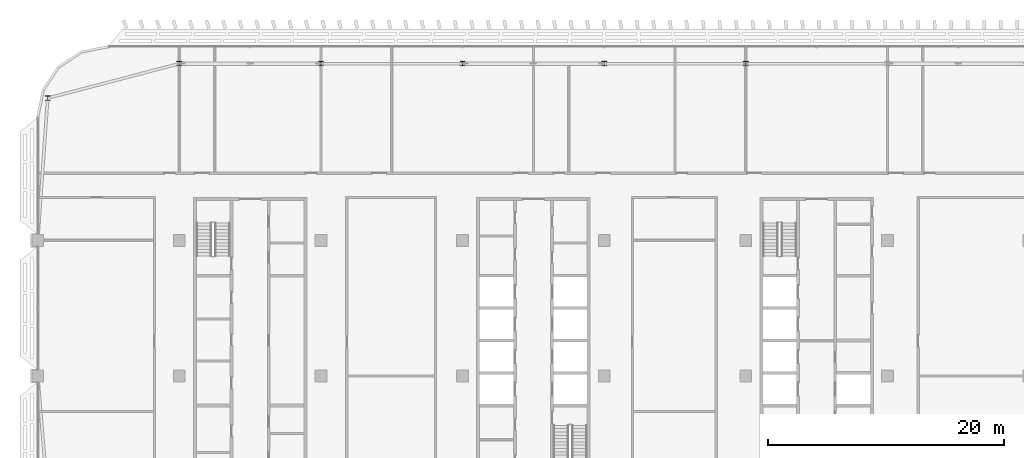
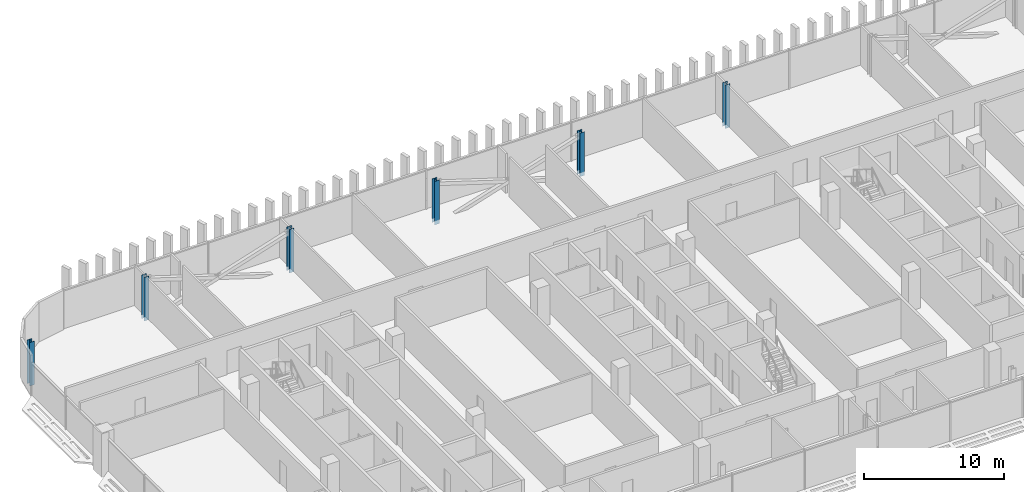
# One storey, part 3 of 32: 6 columns.
"""IFC4 building model written with IfcOpenShell, lengths in metres."""

from ifc_helpers import new_model, si_unit, direction, frame, origin, origin_2d, place, context, subcontext, project, spatial, i_section, extrude, material, material_profile, profile_set, type_object, element, save


model = new_model("IFC4")

# Units and contexts
model_context = context("Model", 3, precision=1e-05, world=origin(), true_north=direction((0.0, 1.0)))
body_context = subcontext(model_context, "Body", "Model", "MODEL_VIEW")
ifc_project = project(units=[si_unit("LENGTHUNIT", "METRE"), si_unit("AREAUNIT", "SQUARE_METRE"), si_unit("VOLUMEUNIT", "CUBIC_METRE"), si_unit("PLANEANGLEUNIT", "RADIAN"), si_unit("MASSUNIT", "GRAM", prefix="KILO")], contexts=[model_context])

# Site, building, storey
site_placement = place(None, origin())
site = spatial("IfcSite", under=ifc_project, at=site_placement, CompositionType="ELEMENT")
building_placement = place(site_placement, origin())
building = spatial("IfcBuilding", under=site, at=building_placement, Name="Mahtab Terrace Research Tower", CompositionType="ELEMENT")
storey_placement = place(building_placement, frame((0.0, 0.0, 240.0)))
storey = spatial("IfcBuildingStorey", under=building, at=storey_placement, Name="L58", CompositionType="ELEMENT", Elevation=240.0)

# Columns
ifc_material = material(Name="Steel ASTM A992 Gr 50", Category="steel")
ifc_material_profile = material_profile(ifc_material, i_section(OverallWidth=0.398681640625, OverallDepth=0.385986328125, WebThickness=0.02099609375, FlangeThickness=0.033203125, at=origin_2d()), Name="W14X176")
ifc_profile_set = profile_set([ifc_material_profile], Name="Steel ASTM A992 Gr 50")
column_type = type_object("IfcColumnType", Name="W14x176 column CS14176", PredefinedType="COLUMN", material=ifc_profile_set)
for number, where, z_axis, x_axis, name in (
    (1, (18.0, 26.472900390625, -0.340087890625), (0.0, 0.0, 1.0), (1.0, 0.0, 0.0), "Column SC-055 L58"),
    (2, (6.0, 26.472900390625, -0.340087890625), (0.0, 0.0, 1.0), (1.0, 0.0, 0.0), "Column SC-056 L58"),
    (3, (-6.0, 26.472900390625, -0.340087890625), (0.0, 0.0, 1.0), (1.0, 0.0, 0.0), "Column SC-057 L58"),
    (4, (-18.0, 26.472900390625, -0.340087890625), (0.0, 0.0, 1.0), (1.0, 0.0, 0.0), "Column SC-058 L58"),
    (5, (-30.0, 26.472900390625, -0.340087890625), (0.0, 0.0, 1.0), (1.0, 0.0, 0.0), "Column SC-059 L58"),
    (6, (-41.154052734375, 23.5458984375, -0.340087890625), (0.0, 0.0, 1.0), (1.0, 0.0, 0.0), "Column SC-060 L58"),
):
    element("IfcColumn", number, at=place(storey_placement, frame(where, z_axis=z_axis, x_axis=x_axis)), inside=storey, type_object=column_type, Name=name, PredefinedType="COLUMN", context=body_context, shape_type="SweptSolid", body=[
        extrude(i_section(OverallWidth=0.398681640625, OverallDepth=0.385986328125, WebThickness=0.02099609375, FlangeThickness=0.033203125, at=origin_2d()), origin(), (0.0, 0.0, 1.0), 3.800048828125),
    ])

save(model, "model.ifc")
